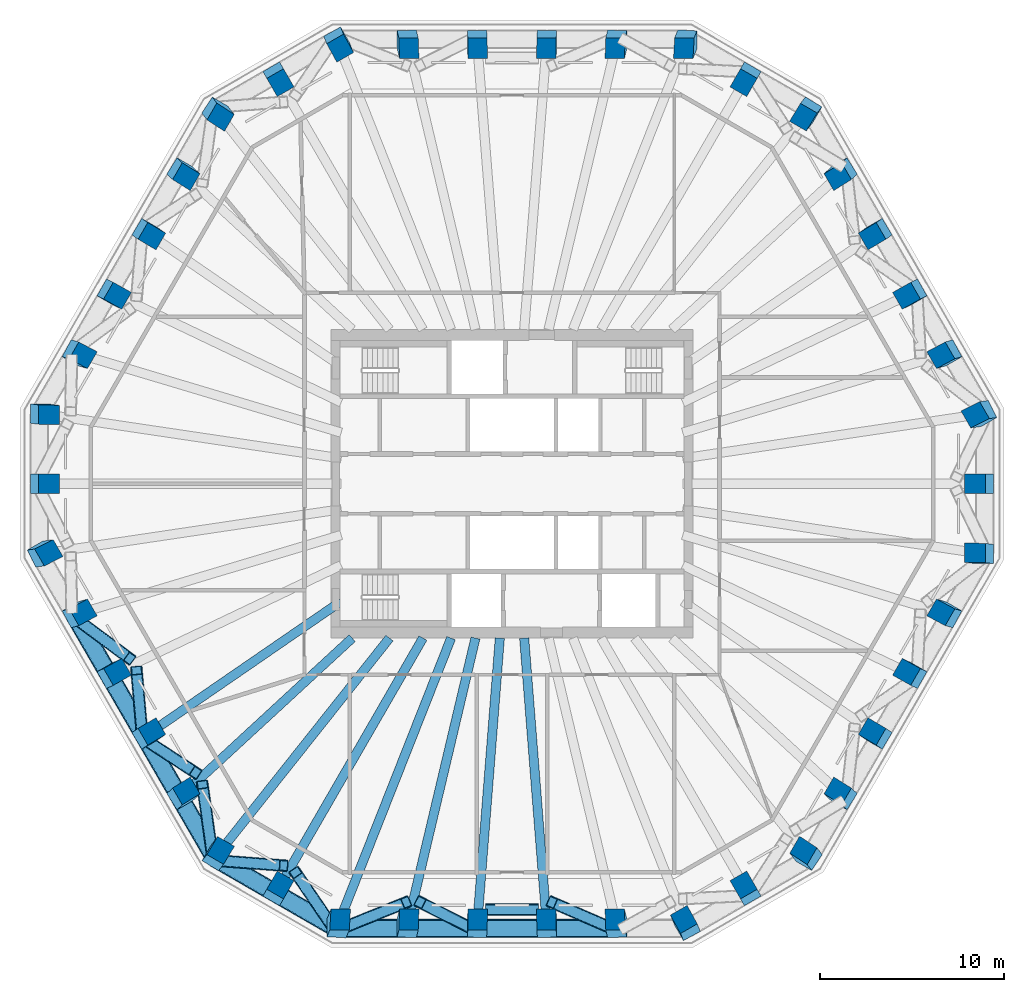
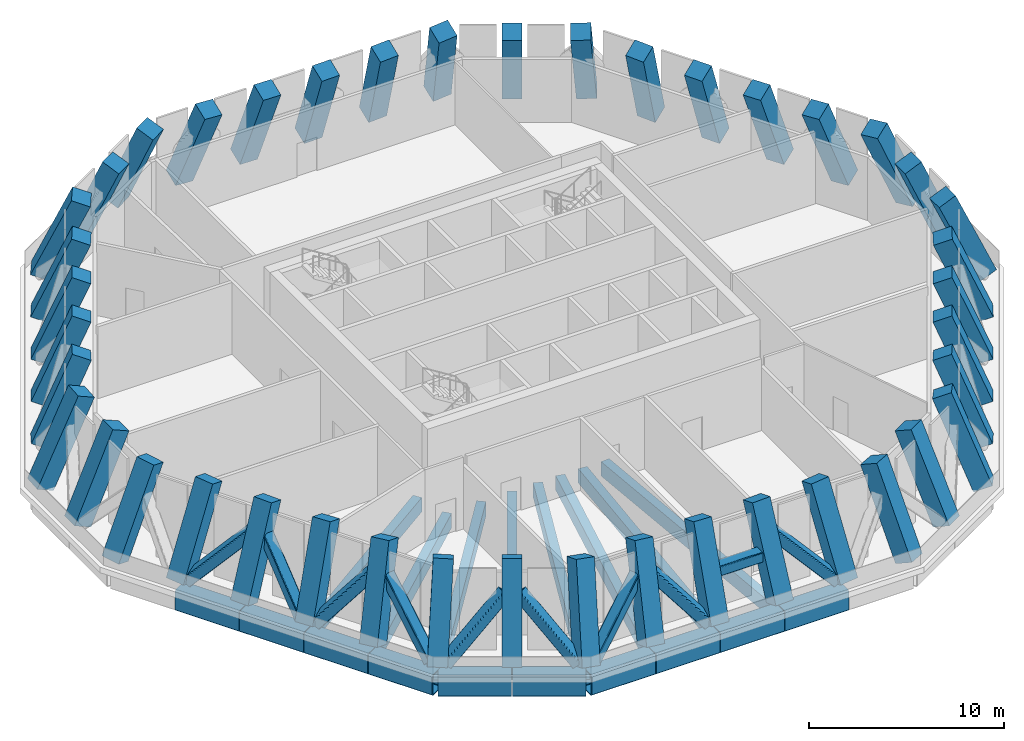
# One storey, part 1 of 8: 42 columns, 18 beams, 10 members.
"""IFC4 building model written with IfcOpenShell, lengths in metres."""

from ifc_helpers import new_model, si_unit, direction, frame, origin, origin_2d, place, context, subcontext, project, spatial, rectangle, hollow_rectangle, extrude, material, material_profile, profile_set, type_object, element, save


model = new_model("IFC4")

# Units and contexts
model_context = context("Model", 3, precision=1e-05, world=origin(), true_north=direction((0.0, 1.0)))
body_context = subcontext(model_context, "Body", "Model", "MODEL_VIEW")
ifc_project = project(units=[si_unit("LENGTHUNIT", "METRE"), si_unit("AREAUNIT", "SQUARE_METRE"), si_unit("VOLUMEUNIT", "CUBIC_METRE"), si_unit("PLANEANGLEUNIT", "RADIAN"), si_unit("MASSUNIT", "GRAM", prefix="KILO")], contexts=[model_context])

# Site, building, storey
site_placement = place(None, origin())
site = spatial("IfcSite", under=ifc_project, at=site_placement, CompositionType="ELEMENT")
building_placement = place(site_placement, origin())
building = spatial("IfcBuilding", under=site, at=building_placement, Name="Frailejon Research Tower", CompositionType="ELEMENT")
storey_placement = place(building_placement, frame((0.0, 0.0, 257.39990234375)))
storey = spatial("IfcBuildingStorey", under=building, at=storey_placement, Name="L56", CompositionType="ELEMENT", Elevation=257.39990234375)

# Columns
ifc_material_1 = material(Name="Concrete C60/75", Category="concrete")
ifc_material_profile_1 = material_profile(ifc_material_1, rectangle(XDim=1.050048828125, YDim=1.050048828125, at=origin_2d()), Name="Column 1050")
ifc_profile_set_1 = profile_set([ifc_material_profile_1], Name="Concrete C60/75")
column_type = type_object("IfcColumnType", Name="Column 1050", PredefinedType="COLUMN", material=ifc_profile_set_1)
column_1_placement = place(storey_placement, frame((25.734375, -3.82666015625, 0.0), z_axis=(-0.394826526735, 0.05316205209, 0.917216337624), x_axis=(0.02097756087, 0.998585897225, -0.048848211866)))
element("IfcColumn", 1, at=column_1_placement, inside=storey, type_object=column_type, Name="Column C01", PredefinedType="COLUMN", context=body_context, shape_type="SweptSolid", body=[
    extrude(rectangle(XDim=1.050048828125, YDim=1.050048828125, at=origin_2d()), origin(), (0.0, 0.0, 1.0), 5.712890625),
])
column_2_placement = place(storey_placement, frame((25.734375, 0.0, 0.0), z_axis=(-0.395385642257, 0.0, 0.918515211576), x_axis=(0.0, 1.0, 0.0)))
element("IfcColumn", 2, at=column_2_placement, inside=storey, type_object=column_type, Name="Column C02", PredefinedType="COLUMN", context=body_context, shape_type="SweptSolid", body=[
    extrude(rectangle(XDim=1.050048828125, YDim=1.050048828125, at=origin_2d()), origin(), (0.0, 0.0, 1.0), 5.704833984375),
])
column_3_placement = place(storey_placement, frame((25.734375, 3.82666015625, 0.0), z_axis=(-0.394826526735, -0.05316205209, 0.917216337624), x_axis=(-0.445327964152, 0.884284271216, -0.140443340978)))
element("IfcColumn", 3, at=column_3_placement, inside=storey, type_object=column_type, Name="Column C03", PredefinedType="COLUMN", context=body_context, shape_type="SweptSolid", body=[
    extrude(rectangle(XDim=1.050048828125, YDim=1.050048828125, at=origin_2d()), origin(), (0.0, 0.0, 1.0), 5.712890625),
])
column_4_placement = place(storey_placement, frame((23.82373046875, 7.135986328125, 0.0), z_axis=(-0.367233587449, -0.106381499952, 0.924025145068), x_axis=(-0.468357248009, 0.879451778077, -0.084888504957)))
element("IfcColumn", 4, at=column_4_placement, inside=storey, type_object=column_type, Name="Column C04", PredefinedType="COLUMN", context=body_context, shape_type="SweptSolid", body=[
    extrude(rectangle(XDim=1.050048828125, YDim=1.050048828125, at=origin_2d()), origin(), (0.0, 0.0, 1.0), 5.6708984375),
])
for number, where, z_axis, x_axis, name in (
    (5, (21.9130859375, 10.4453125, 0.0), (-0.338010557534, -0.159800951388, 0.927476425), (-0.489874793879, 0.871329979204, -0.028403409338), "Column C05"),
    (6, (20.00244140625, 13.754638671875, 0.0), (-0.307414246375, -0.212821923446, 0.927471460492), (-0.509630689758, 0.859924314794, 0.028403043537), "Column C06"),
):
    element("IfcColumn", number, at=place(storey_placement, frame(where, z_axis=z_axis, x_axis=x_axis)), inside=storey, type_object=column_type, Name=name, PredefinedType="COLUMN", context=body_context, shape_type="SweptSolid", body=[
        extrude(rectangle(XDim=1.050048828125, YDim=1.050048828125, at=origin_2d()), origin(), (0.0, 0.0, 1.0), 5.649658203125),
    ])
column_5_placement = place(storey_placement, frame((18.091796875, 17.06396484375, 0.0), z_axis=(-0.275786736896, -0.26485170237, 0.924010417422), x_axis=(-0.527422463379, 0.845351815419, 0.084887297584)))
element("IfcColumn", 7, at=column_5_placement, inside=storey, type_object=column_type, Name="Column C07", PredefinedType="COLUMN", context=body_context, shape_type="SweptSolid", body=[
    extrude(rectangle(XDim=1.050048828125, YDim=1.050048828125, at=origin_2d()), origin(), (0.0, 0.0, 1.0), 5.6708984375),
])
column_6_placement = place(storey_placement, frame((16.18115234375, 20.373291015625, 0.0), z_axis=(-0.243460244821, -0.315340204763, 0.917217348534), x_axis=(-0.854296945705, 0.51748495249, -0.048847236419)))
element("IfcColumn", 8, at=column_6_placement, inside=storey, type_object=column_type, Name="Column C08", PredefinedType="COLUMN", context=body_context, shape_type="SweptSolid", body=[
    extrude(rectangle(XDim=1.050048828125, YDim=1.050048828125, at=origin_2d()), origin(), (0.0, 0.0, 1.0), 5.712890625),
])
column_7_placement = place(storey_placement, frame((12.8671875, 22.28662109375, 0.0), z_axis=(-0.19767286417, -0.342407574416, 0.918521905973), x_axis=(-0.866046396646, 0.499963637527, -2.760204e-06)))
element("IfcColumn", 9, at=column_7_placement, inside=storey, type_object=column_type, Name="Column C09", PredefinedType="COLUMN", context=body_context, shape_type="SweptSolid", body=[
    extrude(rectangle(XDim=1.050048828125, YDim=1.050048828125, at=origin_2d()), origin(), (0.0, 0.0, 1.0), 5.704833984375),
])
column_8_placement = place(storey_placement, frame((9.55322265625, 24.199951171875, 0.0), z_axis=(-0.151364824905, -0.368540443247, 0.917205882816), x_axis=(-0.98847796626, 0.056433833436, -0.140451175369)))
element("IfcColumn", 10, at=column_8_placement, inside=storey, type_object=column_type, Name="Column C10", PredefinedType="COLUMN", context=body_context, shape_type="SweptSolid", body=[
    extrude(rectangle(XDim=1.050048828125, YDim=1.050048828125, at=origin_2d()), origin(), (0.0, 0.0, 1.0), 5.712890625),
])
column_9_placement = place(storey_placement, frame((5.73193359375, 24.199951171875, 0.0), z_axis=(-0.091483619626, -0.371272816778, 0.92400608378), x_axis=(-0.995806581286, 0.034110952003, -0.084886368875)))
element("IfcColumn", 11, at=column_9_placement, inside=storey, type_object=column_type, Name="Column C11", PredefinedType="COLUMN", context=body_context, shape_type="SweptSolid", body=[
    extrude(rectangle(XDim=1.050048828125, YDim=1.050048828125, at=origin_2d()), origin(), (0.0, 0.0, 1.0), 5.6708984375),
])
for number, where, z_axis, x_axis, name in (
    (12, (1.91064453125, 24.199951171875, 0.0), (-0.0305942157, -0.37266174604, 0.9274627847), (-0.999531886797, 0.011373932846, -0.02840142473), "Column C12"),
    (13, (-1.91064453125, 24.199951171875, 0.0), (0.0305942157, -0.37266174604, 0.9274627847), (-0.999531886797, -0.011373932846, 0.02840142473), "Column C13"),
):
    element("IfcColumn", number, at=place(storey_placement, frame(where, z_axis=z_axis, x_axis=x_axis)), inside=storey, type_object=column_type, Name=name, PredefinedType="COLUMN", context=body_context, shape_type="SweptSolid", body=[
        extrude(rectangle(XDim=1.050048828125, YDim=1.050048828125, at=origin_2d()), origin(), (0.0, 0.0, 1.0), 5.64990234375),
    ])
column_10_placement = place(storey_placement, frame((-5.73193359375, 24.199951171875, 0.0), z_axis=(0.091483619626, -0.371272816778, 0.92400608378), x_axis=(-0.995806581286, -0.034110952003, 0.084886368875)))
element("IfcColumn", 14, at=column_10_placement, inside=storey, type_object=column_type, Name="Column C14", PredefinedType="COLUMN", context=body_context, shape_type="SweptSolid", body=[
    extrude(rectangle(XDim=1.050048828125, YDim=1.050048828125, at=origin_2d()), origin(), (0.0, 0.0, 1.0), 5.6708984375),
])
column_11_placement = place(storey_placement, frame((-9.55322265625, 24.199951171875, 0.0), z_axis=(0.151364824905, -0.368540443247, 0.917205882816), x_axis=(-0.875312583423, -0.481083545486, -0.048851853226)))
element("IfcColumn", 15, at=column_11_placement, inside=storey, type_object=column_type, Name="Column C15", PredefinedType="COLUMN", context=body_context, shape_type="SweptSolid", body=[
    extrude(rectangle(XDim=1.050048828125, YDim=1.050048828125, at=origin_2d()), origin(), (0.0, 0.0, 1.0), 5.712890625),
])
column_12_placement = place(storey_placement, frame((-12.8671875, 22.28662109375, 0.0), z_axis=(0.19767286417, -0.342407574416, 0.918521905973), x_axis=(-0.866046396646, -0.499963637527, 2.760204e-06)))
element("IfcColumn", 16, at=column_12_placement, inside=storey, type_object=column_type, Name="Column C16", PredefinedType="COLUMN", context=body_context, shape_type="SweptSolid", body=[
    extrude(rectangle(XDim=1.050048828125, YDim=1.050048828125, at=origin_2d()), origin(), (0.0, 0.0, 1.0), 5.704833984375),
])
column_13_placement = place(storey_placement, frame((-16.18115234375, 20.373291015625, 0.0), z_axis=(0.243460244821, -0.315340204763, 0.917217348534), x_axis=(-0.543124159832, -0.827823569777, -0.14044317117)))
element("IfcColumn", 17, at=column_13_placement, inside=storey, type_object=column_type, Name="Column C17", PredefinedType="COLUMN", context=body_context, shape_type="SweptSolid", body=[
    extrude(rectangle(XDim=1.050048828125, YDim=1.050048828125, at=origin_2d()), origin(), (0.0, 0.0, 1.0), 5.712890625),
])
column_14_placement = place(storey_placement, frame((-18.091796875, 17.06396484375, 0.0), z_axis=(0.275786736896, -0.26485170237, 0.924010417422), x_axis=(-0.527422463379, -0.845351815419, -0.084887297584)))
element("IfcColumn", 18, at=column_14_placement, inside=storey, type_object=column_type, Name="Column C18", PredefinedType="COLUMN", context=body_context, shape_type="SweptSolid", body=[
    extrude(rectangle(XDim=1.050048828125, YDim=1.050048828125, at=origin_2d()), origin(), (0.0, 0.0, 1.0), 5.6708984375),
])
for number, where, z_axis, x_axis, name in (
    (19, (-20.00244140625, 13.754638671875, 0.0), (0.307414246375, -0.212821923446, 0.927471460492), (-0.509630689758, -0.859924314794, -0.028403043537), "Column C19"),
    (20, (-21.9130859375, 10.4453125, 0.0), (0.338010557534, -0.159800951388, 0.927476425), (-0.489874793879, -0.871329979204, 0.028403409338), "Column C20"),
):
    element("IfcColumn", number, at=place(storey_placement, frame(where, z_axis=z_axis, x_axis=x_axis)), inside=storey, type_object=column_type, Name=name, PredefinedType="COLUMN", context=body_context, shape_type="SweptSolid", body=[
        extrude(rectangle(XDim=1.050048828125, YDim=1.050048828125, at=origin_2d()), origin(), (0.0, 0.0, 1.0), 5.649658203125),
    ])
column_15_placement = place(storey_placement, frame((-23.82373046875, 7.135986328125, 0.0), z_axis=(0.367233587449, -0.106381499952, 0.924025145068), x_axis=(-0.468357248009, -0.879451778077, 0.084888504957)))
element("IfcColumn", 21, at=column_15_placement, inside=storey, type_object=column_type, Name="Column C21", PredefinedType="COLUMN", context=body_context, shape_type="SweptSolid", body=[
    extrude(rectangle(XDim=1.050048828125, YDim=1.050048828125, at=origin_2d()), origin(), (0.0, 0.0, 1.0), 5.6708984375),
])
column_16_placement = place(storey_placement, frame((-25.734375, 3.82666015625, 0.0), z_axis=(0.394826526735, -0.05316205209, 0.917216337624), x_axis=(-0.02097756087, -0.998585897225, -0.048848211866)))
element("IfcColumn", 22, at=column_16_placement, inside=storey, type_object=column_type, Name="Column C22", PredefinedType="COLUMN", context=body_context, shape_type="SweptSolid", body=[
    extrude(rectangle(XDim=1.050048828125, YDim=1.050048828125, at=origin_2d()), origin(), (0.0, 0.0, 1.0), 5.712890625),
])
column_17_placement = place(storey_placement, frame((-25.734375, 0.0, 0.0), z_axis=(0.395385642257, 0.0, 0.918515211576), x_axis=(0.0, -1.0, 0.0)))
element("IfcColumn", 23, at=column_17_placement, inside=storey, type_object=column_type, Name="Column C23", PredefinedType="COLUMN", context=body_context, shape_type="SweptSolid", body=[
    extrude(rectangle(XDim=1.050048828125, YDim=1.050048828125, at=origin_2d()), origin(), (0.0, 0.0, 1.0), 5.704833984375),
])
column_18_placement = place(storey_placement, frame((-25.734375, -3.82666015625, 0.0), z_axis=(0.394826526735, 0.05316205209, 0.917216337624), x_axis=(0.445327964152, -0.884284271216, -0.140443340978)))
element("IfcColumn", 24, at=column_18_placement, inside=storey, type_object=column_type, Name="Column C24", PredefinedType="COLUMN", context=body_context, shape_type="SweptSolid", body=[
    extrude(rectangle(XDim=1.050048828125, YDim=1.050048828125, at=origin_2d()), origin(), (0.0, 0.0, 1.0), 5.712890625),
])
column_19_placement = place(storey_placement, frame((-23.82373046875, -7.135986328125, 0.0), z_axis=(0.367233587449, 0.106381499952, 0.924025145068), x_axis=(0.468357248009, -0.879451778077, -0.084888504957)))
element("IfcColumn", 25, at=column_19_placement, inside=storey, type_object=column_type, Name="Column C25", PredefinedType="COLUMN", context=body_context, shape_type="SweptSolid", body=[
    extrude(rectangle(XDim=1.050048828125, YDim=1.050048828125, at=origin_2d()), origin(), (0.0, 0.0, 1.0), 5.6708984375),
])
for number, where, z_axis, x_axis, name in (
    (26, (-21.9130859375, -10.4453125, 0.0), (0.338010557534, 0.159800951388, 0.927476425), (0.489874793879, -0.871329979204, -0.028403409338), "Column C26"),
    (27, (-20.00244140625, -13.754638671875, 0.0), (0.307414246375, 0.212821923446, 0.927471460492), (0.509630689758, -0.859924314794, 0.028403043537), "Column C27"),
):
    element("IfcColumn", number, at=place(storey_placement, frame(where, z_axis=z_axis, x_axis=x_axis)), inside=storey, type_object=column_type, Name=name, PredefinedType="COLUMN", context=body_context, shape_type="SweptSolid", body=[
        extrude(rectangle(XDim=1.050048828125, YDim=1.050048828125, at=origin_2d()), origin(), (0.0, 0.0, 1.0), 5.649658203125),
    ])
column_20_placement = place(storey_placement, frame((-18.091796875, -17.06396484375, 0.0), z_axis=(0.275786736896, 0.26485170237, 0.924010417422), x_axis=(0.527422463379, -0.845351815419, 0.084887297584)))
element("IfcColumn", 28, at=column_20_placement, inside=storey, type_object=column_type, Name="Column C28", PredefinedType="COLUMN", context=body_context, shape_type="SweptSolid", body=[
    extrude(rectangle(XDim=1.050048828125, YDim=1.050048828125, at=origin_2d()), origin(), (0.0, 0.0, 1.0), 5.6708984375),
])
column_21_placement = place(storey_placement, frame((-16.18115234375, -20.373291015625, 0.0), z_axis=(0.243460244821, 0.315340204763, 0.917217348534), x_axis=(0.854296945705, -0.51748495249, -0.048847236419)))
element("IfcColumn", 29, at=column_21_placement, inside=storey, type_object=column_type, Name="Column C29", PredefinedType="COLUMN", context=body_context, shape_type="SweptSolid", body=[
    extrude(rectangle(XDim=1.050048828125, YDim=1.050048828125, at=origin_2d()), origin(), (0.0, 0.0, 1.0), 5.712890625),
])
column_22_placement = place(storey_placement, frame((-12.8671875, -22.28662109375, 0.0), z_axis=(0.19767286417, 0.342407574416, 0.918521905973), x_axis=(0.866046396646, -0.499963637527, -2.760204e-06)))
element("IfcColumn", 30, at=column_22_placement, inside=storey, type_object=column_type, Name="Column C30", PredefinedType="COLUMN", context=body_context, shape_type="SweptSolid", body=[
    extrude(rectangle(XDim=1.050048828125, YDim=1.050048828125, at=origin_2d()), origin(), (0.0, 0.0, 1.0), 5.704833984375),
])
column_23_placement = place(storey_placement, frame((-9.55322265625, -24.199951171875, 0.0), z_axis=(0.151364824905, 0.368540443247, 0.917205882816), x_axis=(0.98847796626, -0.056433833436, -0.140451175369)))
element("IfcColumn", 31, at=column_23_placement, inside=storey, type_object=column_type, Name="Column C31", PredefinedType="COLUMN", context=body_context, shape_type="SweptSolid", body=[
    extrude(rectangle(XDim=1.050048828125, YDim=1.050048828125, at=origin_2d()), origin(), (0.0, 0.0, 1.0), 5.712890625),
])
column_24_placement = place(storey_placement, frame((-5.73193359375, -24.199951171875, 0.0), z_axis=(0.091483619626, 0.371272816778, 0.92400608378), x_axis=(0.995806581286, -0.034110952003, -0.084886368875)))
element("IfcColumn", 32, at=column_24_placement, inside=storey, type_object=column_type, Name="Column C32", PredefinedType="COLUMN", context=body_context, shape_type="SweptSolid", body=[
    extrude(rectangle(XDim=1.050048828125, YDim=1.050048828125, at=origin_2d()), origin(), (0.0, 0.0, 1.0), 5.6708984375),
])
for number, where, z_axis, x_axis, name in (
    (33, (-1.91064453125, -24.199951171875, 0.0), (0.0305942157, 0.37266174604, 0.9274627847), (0.999531886797, -0.011373932846, -0.02840142473), "Column C33"),
    (34, (1.91064453125, -24.199951171875, 0.0), (-0.0305942157, 0.37266174604, 0.9274627847), (0.999531886797, 0.011373932846, 0.02840142473), "Column C34"),
):
    element("IfcColumn", number, at=place(storey_placement, frame(where, z_axis=z_axis, x_axis=x_axis)), inside=storey, type_object=column_type, Name=name, PredefinedType="COLUMN", context=body_context, shape_type="SweptSolid", body=[
        extrude(rectangle(XDim=1.050048828125, YDim=1.050048828125, at=origin_2d()), origin(), (0.0, 0.0, 1.0), 5.64990234375),
    ])
column_25_placement = place(storey_placement, frame((5.73193359375, -24.199951171875, 0.0), z_axis=(-0.091483619626, 0.371272816778, 0.92400608378), x_axis=(0.995806581286, 0.034110952003, 0.084886368875)))
element("IfcColumn", 35, at=column_25_placement, inside=storey, type_object=column_type, Name="Column C35", PredefinedType="COLUMN", context=body_context, shape_type="SweptSolid", body=[
    extrude(rectangle(XDim=1.050048828125, YDim=1.050048828125, at=origin_2d()), origin(), (0.0, 0.0, 1.0), 5.6708984375),
])
column_26_placement = place(storey_placement, frame((9.55322265625, -24.199951171875, 0.0), z_axis=(-0.151364824905, 0.368540443247, 0.917205882816), x_axis=(0.875312583423, 0.481083545486, -0.048851853226)))
element("IfcColumn", 36, at=column_26_placement, inside=storey, type_object=column_type, Name="Column C36", PredefinedType="COLUMN", context=body_context, shape_type="SweptSolid", body=[
    extrude(rectangle(XDim=1.050048828125, YDim=1.050048828125, at=origin_2d()), origin(), (0.0, 0.0, 1.0), 5.712890625),
])
column_27_placement = place(storey_placement, frame((12.8671875, -22.28662109375, 0.0), z_axis=(-0.19767286417, 0.342407574416, 0.918521905973), x_axis=(0.866046396646, 0.499963637527, 2.760204e-06)))
element("IfcColumn", 37, at=column_27_placement, inside=storey, type_object=column_type, Name="Column C37", PredefinedType="COLUMN", context=body_context, shape_type="SweptSolid", body=[
    extrude(rectangle(XDim=1.050048828125, YDim=1.050048828125, at=origin_2d()), origin(), (0.0, 0.0, 1.0), 5.704833984375),
])
column_28_placement = place(storey_placement, frame((16.18115234375, -20.373291015625, 0.0), z_axis=(-0.243460244821, 0.315340204763, 0.917217348534), x_axis=(0.543124159832, 0.827823569777, -0.14044317117)))
element("IfcColumn", 38, at=column_28_placement, inside=storey, type_object=column_type, Name="Column C38", PredefinedType="COLUMN", context=body_context, shape_type="SweptSolid", body=[
    extrude(rectangle(XDim=1.050048828125, YDim=1.050048828125, at=origin_2d()), origin(), (0.0, 0.0, 1.0), 5.712890625),
])
column_29_placement = place(storey_placement, frame((18.091796875, -17.06396484375, 0.0), z_axis=(-0.275786736896, 0.26485170237, 0.924010417422), x_axis=(0.527422463379, 0.845351815419, -0.084887297584)))
element("IfcColumn", 39, at=column_29_placement, inside=storey, type_object=column_type, Name="Column C39", PredefinedType="COLUMN", context=body_context, shape_type="SweptSolid", body=[
    extrude(rectangle(XDim=1.050048828125, YDim=1.050048828125, at=origin_2d()), origin(), (0.0, 0.0, 1.0), 5.6708984375),
])
for number, where, z_axis, x_axis, name in (
    (40, (20.00244140625, -13.754638671875, 0.0), (-0.307414246375, 0.212821923446, 0.927471460492), (0.509630689758, 0.859924314794, -0.028403043537), "Column C40"),
    (41, (21.9130859375, -10.4453125, 0.0), (-0.338010557534, 0.159800951388, 0.927476425), (0.489874793879, 0.871329979204, 0.028403409338), "Column C41"),
):
    element("IfcColumn", number, at=place(storey_placement, frame(where, z_axis=z_axis, x_axis=x_axis)), inside=storey, type_object=column_type, Name=name, PredefinedType="COLUMN", context=body_context, shape_type="SweptSolid", body=[
        extrude(rectangle(XDim=1.050048828125, YDim=1.050048828125, at=origin_2d()), origin(), (0.0, 0.0, 1.0), 5.649658203125),
    ])
column_30_placement = place(storey_placement, frame((23.82373046875, -7.135986328125, 0.0), z_axis=(-0.367233587449, 0.106381499952, 0.924025145068), x_axis=(0.468357248009, 0.879451778077, 0.084888504957)))
element("IfcColumn", 42, at=column_30_placement, inside=storey, type_object=column_type, Name="Column C42", PredefinedType="COLUMN", context=body_context, shape_type="SweptSolid", body=[
    extrude(rectangle(XDim=1.050048828125, YDim=1.050048828125, at=origin_2d()), origin(), (0.0, 0.0, 1.0), 5.6708984375),
])

# Beams
ifc_material_2 = material(Name="Steel S355", Category="steel")
ifc_material_profile_2 = material_profile(ifc_material_2, hollow_rectangle(XDim=1.0, YDim=1.300048828125, WallThickness=0.06005859375, InnerFilletRadius=0.06005859375, OuterFilletRadius=0.1201171875, at=origin_2d()), Name="Belt chord")
ifc_profile_set_2 = profile_set([ifc_material_profile_2], Name="Steel S355")
beam_type_1 = type_object("IfcBeamType", Name="Belt chord", PredefinedType="BEAM", material=ifc_profile_set_2)
for number, where, z_axis, x_axis, name in (
    (43, (-23.813720703125, -7.1533203125, -1.0), (0.500000040646, -0.866025380318, 0.0), (0.866025380318, 0.500000040646, 0.0), "Belt chord"),
    (44, (-21.903076171875, -10.462646484375, -1.0), (0.500000040646, -0.866025380318, 0.0), (0.866025380318, 0.500000040646, 0.0), "Belt chord"),
    (45, (-19.992431640625, -13.77197265625, -1.0), (0.500000040646, -0.866025380318, 0.0), (0.866025380318, 0.500000040646, 0.0), "Belt chord"),
    (46, (-18.081787109375, -17.081298828125, -1.0), (0.500000040646, -0.866025380318, 0.0), (0.866025380318, 0.500000040646, 0.0), "Belt chord"),
):
    element("IfcBeam", number, at=place(storey_placement, frame(where, z_axis=z_axis, x_axis=x_axis)), inside=storey, type_object=beam_type_1, Name=name, PredefinedType="BEAM", context=body_context, shape_type="SweptSolid", body=[
        extrude(hollow_rectangle(XDim=1.0, YDim=1.300048828125, WallThickness=0.06005859375, InnerFilletRadius=0.06005859375, OuterFilletRadius=0.1201171875, at=origin_2d()), origin(), (0.0, 0.0, 1.0), 3.78125),
    ])
for number, where, z_axis, x_axis, name in (
    (47, (-16.163818359375, -20.38330078125, -1.0), (0.86602453317, -0.500001507946, 0.0), (0.500001507946, 0.86602453317, 0.0), "Belt chord"),
    (48, (-12.849853515625, -22.296630859375, -1.0), (0.86602453317, -0.500001507946, 0.0), (0.500001507946, 0.86602453317, 0.0), "Belt chord"),
):
    element("IfcBeam", number, at=place(storey_placement, frame(where, z_axis=z_axis, x_axis=x_axis)), inside=storey, type_object=beam_type_1, Name=name, PredefinedType="BEAM", context=body_context, shape_type="SweptSolid", body=[
        extrude(hollow_rectangle(XDim=1.0, YDim=1.300048828125, WallThickness=0.06005859375, InnerFilletRadius=0.06005859375, OuterFilletRadius=0.1201171875, at=origin_2d()), origin(), (0.0, 0.0, 1.0), 3.78662109375),
    ])
for number, where, z_axis, x_axis, name in (
    (49, (-9.533203125, -24.199951171875, -1.0), (1.0, 0.0, 0.0), (0.0, 1.0, 0.0), "Belt chord"),
    (50, (-5.7119140625, -24.199951171875, -1.0), (1.0, 0.0, 0.0), (0.0, 1.0, 0.0), "Belt chord"),
    (51, (-1.890625, -24.199951171875, -1.0), (1.0, 0.0, 0.0), (0.0, 1.0, 0.0), "Belt chord"),
    (52, (1.9306640625, -24.199951171875, -1.0), (1.0, 0.0, 0.0), (0.0, 1.0, 0.0), "Belt chord"),
):
    element("IfcBeam", number, at=place(storey_placement, frame(where, z_axis=z_axis, x_axis=x_axis)), inside=storey, type_object=beam_type_1, Name=name, PredefinedType="BEAM", context=body_context, shape_type="SweptSolid", body=[
        extrude(hollow_rectangle(XDim=1.0, YDim=1.300048828125, WallThickness=0.06005859375, InnerFilletRadius=0.06005859375, OuterFilletRadius=0.1201171875, at=origin_2d()), origin(), (0.0, 0.0, 1.0), 3.78125),
    ])

# Members
ifc_material_3 = material(Name="Steel S355", Category="steel")
ifc_material_profile_3 = material_profile(ifc_material_3, hollow_rectangle(XDim=0.64990234375, YDim=0.64990234375, WallThickness=0.044921875, InnerFilletRadius=0.044921875, OuterFilletRadius=0.090087890625, at=origin_2d()), Name="Belt diagonal 5600")
ifc_profile_set_3 = profile_set([ifc_material_profile_3], Name="Steel S355")
member_type = type_object("IfcMemberType", Name="Belt diagonal 5600", PredefinedType="BRACE", material=ifc_profile_set_3)
member_1_placement = place(storey_placement, frame((-23.595458984375, -7.448974609375, 0.10302734375), z_axis=(0.57083467662, -0.423428759073, 0.703459919226), x_axis=(0.595761852481, 0.803161138956, 0.0)))
element("IfcMember", 53, at=member_1_placement, inside=storey, type_object=member_type, Name="Belt truss diagonal", PredefinedType="BRACE", context=body_context, shape_type="SweptSolid", body=[
    extrude(hollow_rectangle(XDim=0.64990234375, YDim=0.64990234375, WallThickness=0.044921875, InnerFilletRadius=0.044921875, OuterFilletRadius=0.090087890625, at=origin_2d()), origin(), (0.0, 0.0, 1.0), 4.87255859375),
])
member_2_placement = place(storey_placement, frame((-20.43896484375, -10.16162109375, 3.53076171875), z_axis=(0.059843403163, -0.68621124076, -0.724936480081), x_axis=(0.996218898813, 0.086878683501, 0.0)))
element("IfcMember", 54, at=member_2_placement, inside=storey, type_object=member_type, Name="Belt truss diagonal", PredefinedType="BRACE", context=body_context, shape_type="SweptSolid", body=[
    extrude(hollow_rectangle(XDim=0.64990234375, YDim=0.64990234375, WallThickness=0.044921875, InnerFilletRadius=0.044921875, OuterFilletRadius=0.090087890625, at=origin_2d()), origin(), (0.0, 0.0, 1.0), 4.728271484375),
])
member_3_placement = place(storey_placement, frame((-19.781005859375, -14.055908203125, 0.10302734375), z_axis=(0.556670743719, -0.364093619137, 0.746695064662), x_axis=(0.547372148137, 0.836889318515, 0.0)))
element("IfcMember", 55, at=member_3_placement, inside=storey, type_object=member_type, Name="Belt truss diagonal", PredefinedType="BRACE", context=body_context, shape_type="SweptSolid", body=[
    extrude(hollow_rectangle(XDim=0.64990234375, YDim=0.64990234375, WallThickness=0.044921875, InnerFilletRadius=0.044921875, OuterFilletRadius=0.090087890625, at=origin_2d()), origin(), (0.0, 0.0, 1.0), 4.590576171875),
])
member_4_placement = place(storey_placement, frame((-16.8505859375, -16.376708984375, 3.53076171875), z_axis=(0.101384769526, -0.723933912796, -0.682378793935), x_axis=(0.990335355075, 0.138693491151, 0.0)))
element("IfcMember", 56, at=member_4_placement, inside=storey, type_object=member_type, Name="Belt truss diagonal", PredefinedType="BRACE", context=body_context, shape_type="SweptSolid", body=[
    extrude(hollow_rectangle(XDim=0.64990234375, YDim=0.64990234375, WallThickness=0.044921875, InnerFilletRadius=0.044921875, OuterFilletRadius=0.090087890625, at=origin_2d()), origin(), (0.0, 0.0, 1.0), 5.023193359375),
])
member_5_placement = place(storey_placement, frame((-15.830322265625, -20.527099609375, 0.098388671875), z_axis=(0.702574984705, -0.052895013216, 0.709641112425), x_axis=(0.07507488776, 0.997177898485, 0.0)))
element("IfcMember", 57, at=member_5_placement, inside=storey, type_object=member_type, Name="Belt truss diagonal", PredefinedType="BRACE", context=body_context, shape_type="SweptSolid", body=[
    extrude(hollow_rectangle(XDim=0.64990234375, YDim=0.64990234375, WallThickness=0.044921875, InnerFilletRadius=0.044921875, OuterFilletRadius=0.090087890625, at=origin_2d()), origin(), (0.0, 0.0, 1.0), 4.837158203125),
])
member_6_placement = place(storey_placement, frame((-11.782470703125, -21.157958984375, 3.531005859375), z_axis=(0.397083160437, -0.581971379159, -0.709671950648), x_axis=(0.826039348638, 0.563612450627, 0.0)))
element("IfcMember", 58, at=member_6_placement, inside=storey, type_object=member_type, Name="Belt truss diagonal", PredefinedType="BRACE", context=body_context, shape_type="SweptSolid", body=[
    extrude(hollow_rectangle(XDim=0.64990234375, YDim=0.64990234375, WallThickness=0.044921875, InnerFilletRadius=0.044921875, OuterFilletRadius=0.090087890625, at=origin_2d()), origin(), (0.0, 0.0, 1.0), 4.8369140625),
])
member_7_placement = place(storey_placement, frame((-9.1611328125, -24.15869140625, 0.10302734375), z_axis=(0.677625496127, 0.274170522425, 0.68238860749), x_axis=(-0.375067612734, 0.92699745732, 0.0)))
element("IfcMember", 59, at=member_7_placement, inside=storey, type_object=member_type, Name="Belt truss diagonal", PredefinedType="BRACE", context=body_context, shape_type="SweptSolid", body=[
    extrude(hollow_rectangle(XDim=0.64990234375, YDim=0.64990234375, WallThickness=0.044921875, InnerFilletRadius=0.044921875, OuterFilletRadius=0.090087890625, at=origin_2d()), origin(), (0.0, 0.0, 1.0), 5.023193359375),
])
member_8_placement = place(storey_placement, frame((-5.00732421875, -22.781494140625, 3.53076171875), z_axis=(0.593645537895, -0.300013839748, -0.746710567286), x_axis=(0.451047499832, 0.8924999456, 0.0)))
element("IfcMember", 60, at=member_8_placement, inside=storey, type_object=member_type, Name="Belt truss diagonal", PredefinedType="BRACE", context=body_context, shape_type="SweptSolid", body=[
    extrude(hollow_rectangle(XDim=0.64990234375, YDim=0.64990234375, WallThickness=0.044921875, InnerFilletRadius=0.044921875, OuterFilletRadius=0.090087890625, at=origin_2d()), origin(), (0.0, 0.0, 1.0), 4.59033203125),
])
member_9_placement = place(storey_placement, frame((-1.452392578125, -23.185546875, 2.525146484375), z_axis=(1.0, 0.0, 0.0), x_axis=(0.0, 1.0, 0.0)))
element("IfcMember", 61, at=member_9_placement, inside=storey, type_object=member_type, Name="Belt truss door-head strut", PredefinedType="BRACE", context=body_context, shape_type="SweptSolid", body=[
    extrude(hollow_rectangle(XDim=0.64990234375, YDim=0.64990234375, WallThickness=0.044921875, InnerFilletRadius=0.044921875, OuterFilletRadius=0.090087890625, at=origin_2d()), origin(), (0.0, 0.0, 1.0), 2.90478515625),
])
member_10_placement = place(storey_placement, frame((2.169189453125, -22.781494140625, 3.53076171875), z_axis=(0.652110494088, -0.282639669393, -0.703467640184), x_axis=(0.397676681056, 0.917525616724, 0.0)))
element("IfcMember", 62, at=member_10_placement, inside=storey, type_object=member_type, Name="Belt truss diagonal", PredefinedType="BRACE", context=body_context, shape_type="SweptSolid", body=[
    extrude(hollow_rectangle(XDim=0.64990234375, YDim=0.64990234375, WallThickness=0.044921875, InnerFilletRadius=0.044921875, OuterFilletRadius=0.090087890625, at=origin_2d()), origin(), (0.0, 0.0, 1.0), 4.87255859375),
])

# Beams
ifc_material_4 = material(Name="Concrete C60/75", Category="concrete")
ifc_material_profile_4 = material_profile(ifc_material_4, rectangle(XDim=0.5, YDim=0.89990234375, at=origin_2d()), Name="Girder 500x900")
ifc_profile_set_4 = profile_set([ifc_material_profile_4], Name="Concrete C60/75")
beam_type_2 = type_object("IfcBeamType", Name="Girder 500x900", PredefinedType="BEAM", material=ifc_profile_set_4)
beam_1_placement = place(storey_placement, frame((-19.692138671875, -13.541259765625, -0.75), z_axis=(0.823979789761, 0.566619189637, 0.0), x_axis=(-0.566619189637, 0.823979789761, 0.0)))
element("IfcBeam", 63, at=beam_1_placement, inside=storey, type_object=beam_type_2, Name="Girder 500x900", PredefinedType="BEAM", context=body_context, shape_type="SweptSolid", body=[
    extrude(rectangle(XDim=0.5, YDim=0.89990234375, at=origin_2d()), origin(), (0.0, 0.0, 1.0), 12.612060546875),
])
beam_2_placement = place(storey_placement, frame((-17.806640625, -16.80078125, -0.75), z_axis=(0.735016449092, 0.678049275174, 0.0), x_axis=(-0.678049275174, 0.735016449092, 0.0)))
element("IfcBeam", 64, at=beam_2_placement, inside=storey, type_object=beam_type_2, Name="Girder 500x900", PredefinedType="BEAM", context=body_context, shape_type="SweptSolid", body=[
    extrude(rectangle(XDim=0.5, YDim=0.89990234375, at=origin_2d()), origin(), (0.0, 0.0, 1.0), 12.389892578125),
])
beam_3_placement = place(storey_placement, frame((-15.9443359375, -20.0751953125, -0.75), z_axis=(0.621929399044, 0.783073318793, 0.0), x_axis=(-0.783073318793, 0.621929399044, 0.0)))
element("IfcBeam", 65, at=beam_3_placement, inside=storey, type_object=beam_type_2, Name="Girder 500x900", PredefinedType="BEAM", context=body_context, shape_type="SweptSolid", body=[
    extrude(rectangle(XDim=0.5, YDim=0.89990234375, at=origin_2d()), origin(), (0.0, 0.0, 1.0), 14.90966796875),
])
beam_4_placement = place(storey_placement, frame((-12.6796875, -21.9619140625, -0.75), z_axis=(0.499990558751, 0.866030854623, 0.0), x_axis=(-0.866030854623, 0.499990558751, 0.0)))
element("IfcBeam", 66, at=beam_4_placement, inside=storey, type_object=beam_type_2, Name="Girder 500x900", PredefinedType="BEAM", context=body_context, shape_type="SweptSolid", body=[
    extrude(rectangle(XDim=0.5, YDim=0.89990234375, at=origin_2d()), origin(), (0.0, 0.0, 1.0), 15.659912109375),
])
beam_5_placement = place(storey_placement, frame((-9.40087890625, -23.814453125, -0.75), z_axis=(0.367180622344, 0.93014966031, 0.0), x_axis=(-0.93014966031, 0.367180622344, 0.0)))
element("IfcBeam", 67, at=beam_5_placement, inside=storey, type_object=beam_type_2, Name="Girder 500x900", PredefinedType="BEAM", context=body_context, shape_type="SweptSolid", body=[
    extrude(rectangle(XDim=0.5, YDim=0.89990234375, at=origin_2d()), origin(), (0.0, 0.0, 1.0), 16.572021484375),
])
beam_6_placement = place(storey_placement, frame((-5.64208984375, -23.821044921875, -0.75), z_axis=(0.230479051582, 0.973077287158, 0.0), x_axis=(-0.973077287158, 0.230479051582, 0.0)))
element("IfcBeam", 68, at=beam_6_placement, inside=storey, type_object=beam_type_2, Name="Girder 500x900", PredefinedType="BEAM", context=body_context, shape_type="SweptSolid", body=[
    extrude(rectangle(XDim=0.5, YDim=0.89990234375, at=origin_2d()), origin(), (0.0, 0.0, 1.0), 15.847900390625),
])
for number, where, z_axis, x_axis, name in (
    (69, (-1.881103515625, -23.824462890625, -0.75), (0.078721055235, 0.996896682441, 0.0), (-0.996896682441, 0.078721055235, 0.0), "Girder 500x900"),
    (70, (1.881103515625, -23.824462890625, -0.75), (-0.078721055235, 0.996896682441, 0.0), (-0.996896682441, -0.078721055235, 0.0), "Girder 500x900"),
):
    element("IfcBeam", number, at=place(storey_placement, frame(where, z_axis=z_axis, x_axis=x_axis)), inside=storey, type_object=beam_type_2, Name=name, PredefinedType="BEAM", context=body_context, shape_type="SweptSolid", body=[
        extrude(rectangle(XDim=0.5, YDim=0.89990234375, at=origin_2d()), origin(), (0.0, 0.0, 1.0), 15.47265625),
    ])

save(model, "model.ifc")
